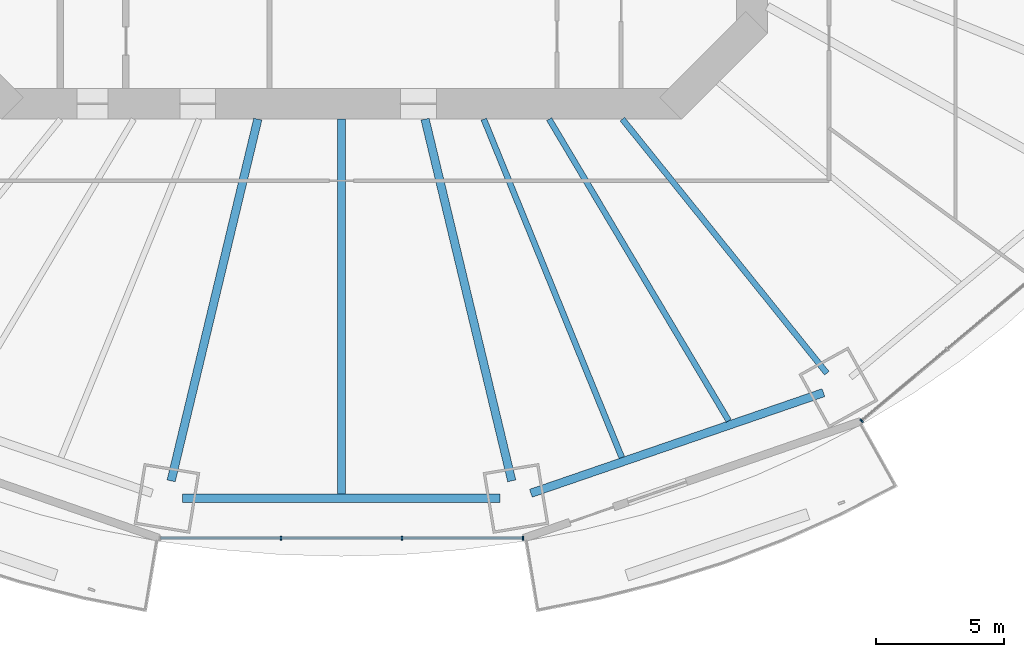
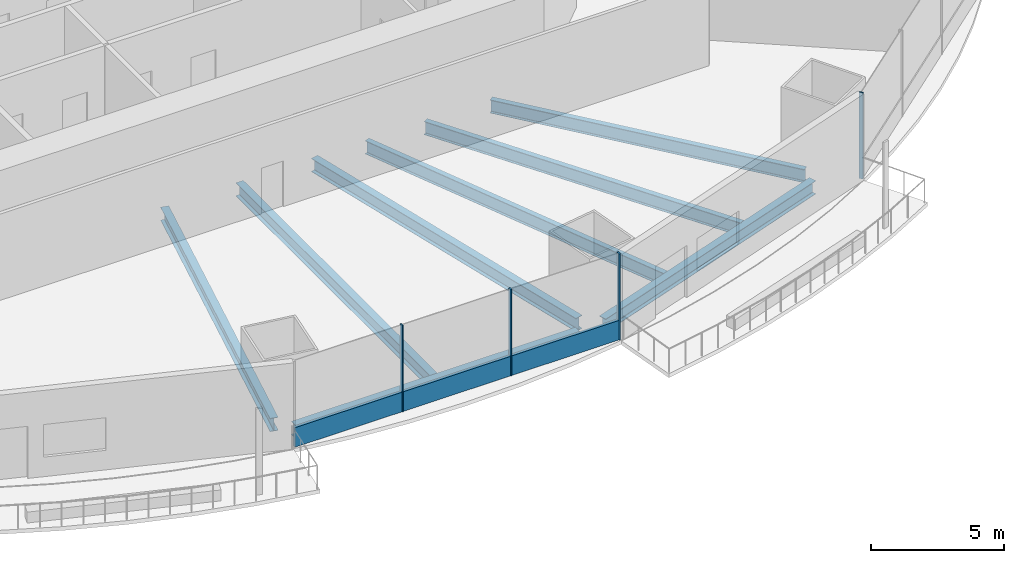
# One storey, part 4 of 23: 8 beams, 5 members, 2 elements without a shape of their own.
"""IFC4 building model written with IfcOpenShell, lengths in metres."""

from ifc_helpers import new_model, si_unit, direction, frame, origin, origin_2d, place, context, subcontext, project, spatial, rectangle, i_section, extrude, material, material_profile, profile_set, type_object, element, aggregate, save


model = new_model("IFC4")

# Units and contexts
model_context = context("Model", 3, precision=1e-05, world=origin(), true_north=direction((0.0, 1.0)))
body_context = subcontext(model_context, "Body", "Model", "MODEL_VIEW")
ifc_project = project(units=[si_unit("LENGTHUNIT", "METRE"), si_unit("AREAUNIT", "SQUARE_METRE"), si_unit("VOLUMEUNIT", "CUBIC_METRE"), si_unit("PLANEANGLEUNIT", "RADIAN"), si_unit("MASSUNIT", "GRAM", prefix="KILO")], contexts=[model_context])

# Site, building, storey
site_placement = place(None, origin())
site = spatial("IfcSite", under=ifc_project, at=site_placement, CompositionType="ELEMENT")
building_placement = place(site_placement, origin())
building = spatial("IfcBuilding", under=site, at=building_placement, Name="Marenthal Gate Tower", CompositionType="ELEMENT")
storey_placement = place(building_placement, frame((0.0, 0.0, 53.75)))
storey = spatial("IfcBuildingStorey", under=building, at=storey_placement, Name="L09", CompositionType="ELEMENT", Elevation=53.75)

# Curtain wall, members
ifc_material_1 = material(Name="Aluminium and glass", Category="aluminium")
curtain_wall_type = type_object("IfcCurtainWallType", Name="Curtain wall typical low", PredefinedType="NOTDEFINED", material=ifc_material_1)
curtain_wall_1_placement = place(storey_placement, origin())
curtain_wall_1 = element("IfcCurtainWall", 1, at=curtain_wall_1_placement, inside=storey, type_object=curtain_wall_type, Name="Curtain wall L09 bay 12", PredefinedType="NOTDEFINED")
ifc_material_2 = material(Name="Aluminium", Category="aluminium")
ifc_material_profile_1 = material_profile(ifc_material_2, rectangle(XDim=0.159912109375, YDim=0.06005859375, at=origin_2d()), Name="60x160 aluminium mullion")
ifc_profile_set_1 = profile_set([ifc_material_profile_1], Name="Aluminium")
member_type_1 = type_object("IfcMemberType", Name="Mullion 60x160 typical low", PredefinedType="MULLION", material=ifc_profile_set_1)
member_1_placement = place(storey_placement, frame((-2.359619140625, -29.9287109375, 0.0), z_axis=(0.0, 0.0, 1.0), x_axis=(0.0, 1.0, 0.0)))
member_1 = element("IfcMember", 2, at=member_1_placement, type_object=member_type_1, Name="Mullion L09 bay 12.2", PredefinedType="MULLION", context=body_context, shape_type="SweptSolid", body=[
    extrude(rectangle(XDim=0.159912109375, YDim=0.06005859375, at=origin_2d()), origin(), (0.0, 0.0, 1.0), 3.969970703125),
])
member_2_placement = place(storey_placement, frame((2.359619140625, -29.9287109375, 0.0), z_axis=(0.0, 0.0, 1.0), x_axis=(0.0, 1.0, 0.0)))
member_2 = element("IfcMember", 3, at=member_2_placement, type_object=member_type_1, Name="Mullion L09 bay 12.3", PredefinedType="MULLION", context=body_context, shape_type="SweptSolid", body=[
    extrude(rectangle(XDim=0.159912109375, YDim=0.06005859375, at=origin_2d()), origin(), (0.0, 0.0, 1.0), 3.969970703125),
])
member_3_placement = place(storey_placement, frame((7.07861328125, -29.9287109375, 0.0), z_axis=(0.0, 0.0, 1.0), x_axis=(0.0, 1.0, 0.0)))
member_3 = element("IfcMember", 4, at=member_3_placement, type_object=member_type_1, Name="Mullion L09 bay 12.4", PredefinedType="MULLION", context=body_context, shape_type="SweptSolid", body=[
    extrude(rectangle(XDim=0.159912109375, YDim=0.06005859375, at=origin_2d()), origin(), (0.0, 0.0, 1.0), 3.969970703125),
])

# Curtain wall, member
curtain_wall_2_placement = place(storey_placement, origin())
curtain_wall_2 = element("IfcCurtainWall", 5, at=curtain_wall_2_placement, inside=storey, type_object=curtain_wall_type, Name="Curtain wall L09 bay 14", PredefinedType="NOTDEFINED")
member_4_placement = place(storey_placement, frame((20.266845703125, -25.35302734375, 0.0), z_axis=(0.0, 0.0, 1.0), x_axis=(-0.642047277641, 0.766665046336, 0.0)))
member_4 = element("IfcMember", 6, at=member_4_placement, type_object=member_type_1, Name="Mullion L09 bay 14.1", PredefinedType="MULLION", context=body_context, shape_type="SweptSolid", body=[
    extrude(rectangle(XDim=0.159912109375, YDim=0.06005859375, at=origin_2d()), origin(), (0.0, 0.0, 1.0), 3.969970703125),
])
aggregate(curtain_wall_2, [member_4])

# Member
ifc_material_3 = material(Name="Aluminium", Category="aluminium")
ifc_material_profile_2 = material_profile(ifc_material_3, rectangle(XDim=0.1201171875, YDim=0.89990234375, at=origin_2d()), Name="120x900 aluminium transom")
ifc_profile_set_2 = profile_set([ifc_material_profile_2], Name="Aluminium")
member_type_2 = type_object("IfcMemberType", Name="Transom 120x900 typical low", PredefinedType="USERDEFINED", material=ifc_profile_set_2)
member_5_placement = place(storey_placement, frame((-7.048583984375, -29.9287109375, 0.449951171875), z_axis=(1.0, 0.0, 0.0), x_axis=(0.0, 1.0, 0.0)))
member_5 = element("IfcMember", 7, at=member_5_placement, type_object=member_type_2, Name="Transom L09 bay 12", ObjectType="TRANSOM", PredefinedType="USERDEFINED", context=body_context, shape_type="SweptSolid", body=[
    extrude(rectangle(XDim=0.1201171875, YDim=0.89990234375, at=origin_2d()), origin(), (0.0, 0.0, 1.0), 14.09716796875),
])

aggregate(curtain_wall_1, [member_1, member_2, member_3, member_5])

# Beams
ifc_material_4 = material(Name="Steel S355", Category="steel")
ifc_material_profile_3 = material_profile(ifc_material_4, i_section(OverallWidth=0.22900390625, OverallDepth=0.612060546875, WebThickness=0.011962890625, FlangeThickness=0.01953125, FilletRadius=0.0126953125, at=origin_2d()), Name="W610X125")
ifc_profile_set_3 = profile_set([ifc_material_profile_3], Name="Steel S355")
beam_type_1 = type_object("IfcBeamType", Name="W610X125 beam", PredefinedType="BEAM", material=ifc_profile_set_3)
beam_1_placement = place(storey_placement, frame((18.916015625, -23.49951171875, -0.486083984375), z_axis=(-0.627042105716, 0.778985364214, 0.0), x_axis=(-0.778985364214, -0.627042105716, 0.0)))
element("IfcBeam", 8, at=beam_1_placement, inside=storey, type_object=beam_type_1, Name="BM-L09-14", PredefinedType="BEAM", context=body_context, shape_type="SweptSolid", body=[
    extrude(i_section(OverallWidth=0.22900390625, OverallDepth=0.612060546875, WebThickness=0.011962890625, FlangeThickness=0.01953125, FilletRadius=0.0126953125, at=origin_2d()), origin(), (0.0, 0.0, 1.0), 12.7080078125),
])
beam_2_placement = place(storey_placement, frame((10.927490234375, -26.7880859375, -0.486083984375), z_axis=(-0.377703578377, 0.925926566679, 0.0), x_axis=(-0.925926566679, -0.377703578377, 0.0)))
element("IfcBeam", 9, at=beam_2_placement, inside=storey, type_object=beam_type_1, Name="BM-L09-35", PredefinedType="BEAM", context=body_context, shape_type="SweptSolid", body=[
    extrude(i_section(OverallWidth=0.22900390625, OverallDepth=0.612060546875, WebThickness=0.011962890625, FlangeThickness=0.01953125, FilletRadius=0.0126953125, at=origin_2d()), origin(), (0.0, 0.0, 1.0), 14.242919921875),
])
beam_3_placement = place(storey_placement, frame((15.0927734375, -25.356201171875, -0.486083984375), z_axis=(-0.511477271469, 0.859296805982, 0.0), x_axis=(-0.859296805982, -0.511477271469, 0.0)))
element("IfcBeam", 10, at=beam_3_placement, inside=storey, type_object=beam_type_1, Name="BM-L09-36", PredefinedType="BEAM", context=body_context, shape_type="SweptSolid", body=[
    extrude(i_section(OverallWidth=0.22900390625, OverallDepth=0.612060546875, WebThickness=0.011962890625, FlangeThickness=0.01953125, FilletRadius=0.0126953125, at=origin_2d()), origin(), (0.0, 0.0, 1.0), 13.68115234375),
])
ifc_material_5 = material(Name="Steel S355", Category="steel")
ifc_material_profile_4 = material_profile(ifc_material_5, i_section(OverallWidth=0.324951171875, OverallDepth=0.612060546875, WebThickness=0.0126953125, FlangeThickness=0.01904296875, FilletRadius=0.0126953125, at=origin_2d()), Name="W610X155")
ifc_profile_set_4 = profile_set([ifc_material_profile_4], Name="Steel S355")
beam_type_2 = type_object("IfcBeamType", Name="W610X155 beam", PredefinedType="BEAM", material=ifc_profile_set_4)
for number, where, z_axis, x_axis, name in (
    (11, (-6.63671875, -27.6953125, -0.486083984375), (0.233035932215, 0.97246812508, 0.0), (-0.97246812508, 0.233035932215, 0.0), "BM-L09-12"),
    (12, (6.63671875, -27.6953125, -0.486083984375), (-0.233035932215, 0.97246812508, 0.0), (-0.97246812508, -0.233035932215, 0.0), "BM-L09-13"),
):
    element("IfcBeam", number, at=place(storey_placement, frame(where, z_axis=z_axis, x_axis=x_axis)), inside=storey, type_object=beam_type_2, Name=name, PredefinedType="BEAM", context=body_context, shape_type="SweptSolid", body=[
        extrude(i_section(OverallWidth=0.324951171875, OverallDepth=0.612060546875, WebThickness=0.0126953125, FlangeThickness=0.01904296875, FilletRadius=0.0126953125, at=origin_2d()), origin(), (0.0, 0.0, 1.0), 14.494384765625),
    ])
beam_4_placement = place(storey_placement, frame((0.0, -28.216552734375, -0.486083984375), z_axis=(0.0, 1.0, 0.0), x_axis=(-1.0, 0.0, 0.0)))
element("IfcBeam", 13, at=beam_4_placement, inside=storey, type_object=beam_type_2, Name="BM-L09-34", PredefinedType="BEAM", context=body_context, shape_type="SweptSolid", body=[
    extrude(i_section(OverallWidth=0.324951171875, OverallDepth=0.612060546875, WebThickness=0.0126953125, FlangeThickness=0.01904296875, FilletRadius=0.0126953125, at=origin_2d()), origin(), (0.0, 0.0, 1.0), 14.616455078125),
])
beam_5_placement = place(storey_placement, frame((-6.185546875, -28.37890625, -0.486083984375), z_axis=(1.0, 0.0, 0.0), x_axis=(0.0, 1.0, 0.0)))
element("IfcBeam", 14, at=beam_5_placement, inside=storey, type_object=beam_type_2, Name="BM-L09-52", PredefinedType="BEAM", context=body_context, shape_type="SweptSolid", body=[
    extrude(i_section(OverallWidth=0.324951171875, OverallDepth=0.612060546875, WebThickness=0.0126953125, FlangeThickness=0.01904296875, FilletRadius=0.0126953125, at=origin_2d()), origin(), (0.0, 0.0, 1.0), 12.37109375),
])
beam_6_placement = place(storey_placement, frame((7.3828125, -28.178955078125, -0.486083984375), z_axis=(0.945659940371, 0.325157311431, 0.0), x_axis=(-0.325157311431, 0.945659940371, 0.0)))
element("IfcBeam", 15, at=beam_6_placement, inside=storey, type_object=beam_type_2, Name="BM-L09-53", PredefinedType="BEAM", context=body_context, shape_type="SweptSolid", body=[
    extrude(i_section(OverallWidth=0.324951171875, OverallDepth=0.612060546875, WebThickness=0.0126953125, FlangeThickness=0.01904296875, FilletRadius=0.0126953125, at=origin_2d()), origin(), (0.0, 0.0, 1.0), 12.0546875),
])

save(model, "model.ifc")
